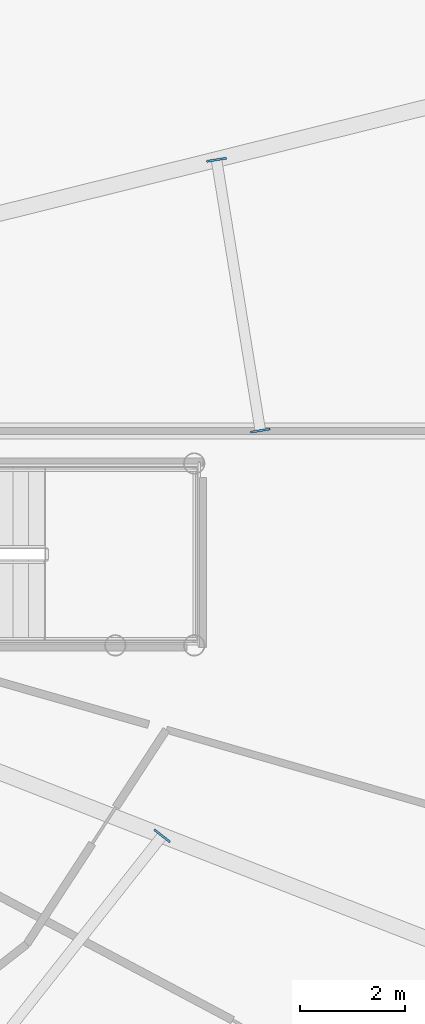
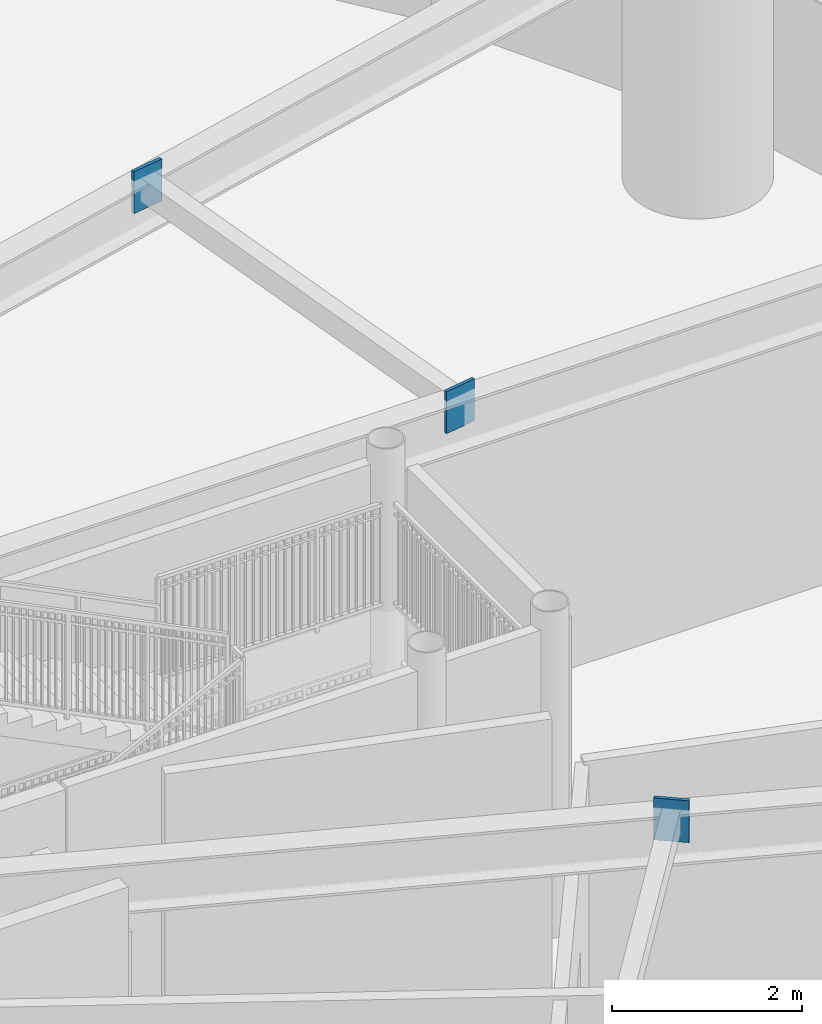
# One storey, part 14 of 32: 3 plates.
"""IFC4 building model written with IfcOpenShell, lengths in metres."""

from ifc_helpers import new_model, si_unit, direction, frame, origin, origin_2d, place, context, subcontext, project, spatial, rectangle, extrude, source, transform, mapped, material, layer, layer_set, type_object, element, save


model = new_model("IFC4")

# Units and contexts
model_context = context("Model", 3, precision=1e-05, world=origin(), true_north=direction((0.0, 1.0)))
body_context = subcontext(model_context, "Body", "Model", "MODEL_VIEW")
ifc_project = project(units=[si_unit("LENGTHUNIT", "METRE"), si_unit("AREAUNIT", "SQUARE_METRE"), si_unit("VOLUMEUNIT", "CUBIC_METRE"), si_unit("PLANEANGLEUNIT", "RADIAN"), si_unit("MASSUNIT", "GRAM", prefix="KILO")], contexts=[model_context])

# Site, building, storey
site_placement = place(None, origin())
site = spatial("IfcSite", under=ifc_project, at=site_placement, CompositionType="ELEMENT")
building_placement = place(site_placement, origin())
building = spatial("IfcBuilding", under=site, at=building_placement, Name="Linh Dai School and Residence Tower", CompositionType="ELEMENT")
storey_placement = place(building_placement, frame((0.0, 0.0, 53.39990234375)))
storey = spatial("IfcBuildingStorey", under=building, at=storey_placement, Name="L12", CompositionType="ELEMENT", Elevation=53.39990234375)

# Plates
ifc_material = material(Name="Structural Steel S355JR", Category="steel")
ifc_layer = layer(ifc_material, 0.0400390625)
ifc_layer_set = layer_set([ifc_layer], Name="Structural Steel S355JR")
plate_type = type_object("IfcPlateType", Name="PLT-GP1", PredefinedType="USERDEFINED", material=ifc_layer_set)
shared_shape = source(origin(), body_context, "Body", "SweptSolid", [
    extrude(rectangle(XDim=0.0400390625, YDim=0.3798828125, at=origin_2d()), origin(), (0.0, 0.0, 1.0), 0.5400390625),
])
for number, where, z_axis, x_axis, name in (
    (1, (57.607177734375, 27.0048828125, 3.530029296875), (0.0, 0.0, 1.0), (-0.159659022119, 0.987172222389, 0.0), "L12 Secondary Beam End Plate 01A"),
    (2, (56.774169921875, 32.15625, 3.530029296875), (0.0, 0.0, 1.0), (-0.159659022119, 0.987172222389, 0.0), "L12 Secondary Beam End Plate 01B"),
    (3, (55.740478515625, 19.297607421875, 3.530029296875), (0.0, 0.0, 1.0), (0.620177637481, 0.784461406297, 0.0), "L12 Secondary Beam End Plate 08B"),
):
    element("IfcPlate", number, at=place(storey_placement, frame(where, z_axis=z_axis, x_axis=x_axis)), inside=storey, type_object=plate_type, Name=name, ObjectType="GUSSET PLATE", PredefinedType="USERDEFINED", context=body_context, shape_type="MappedRepresentation", body=[
        mapped(shared_shape, transform((0.0, 0.0, 0.0), x_axis=(1.0, 0.0, 0.0), y_axis=(0.0, 1.0, 0.0), z_axis=(0.0, 0.0, 1.0), scale=1.0)),
    ])

save(model, "model.ifc")
